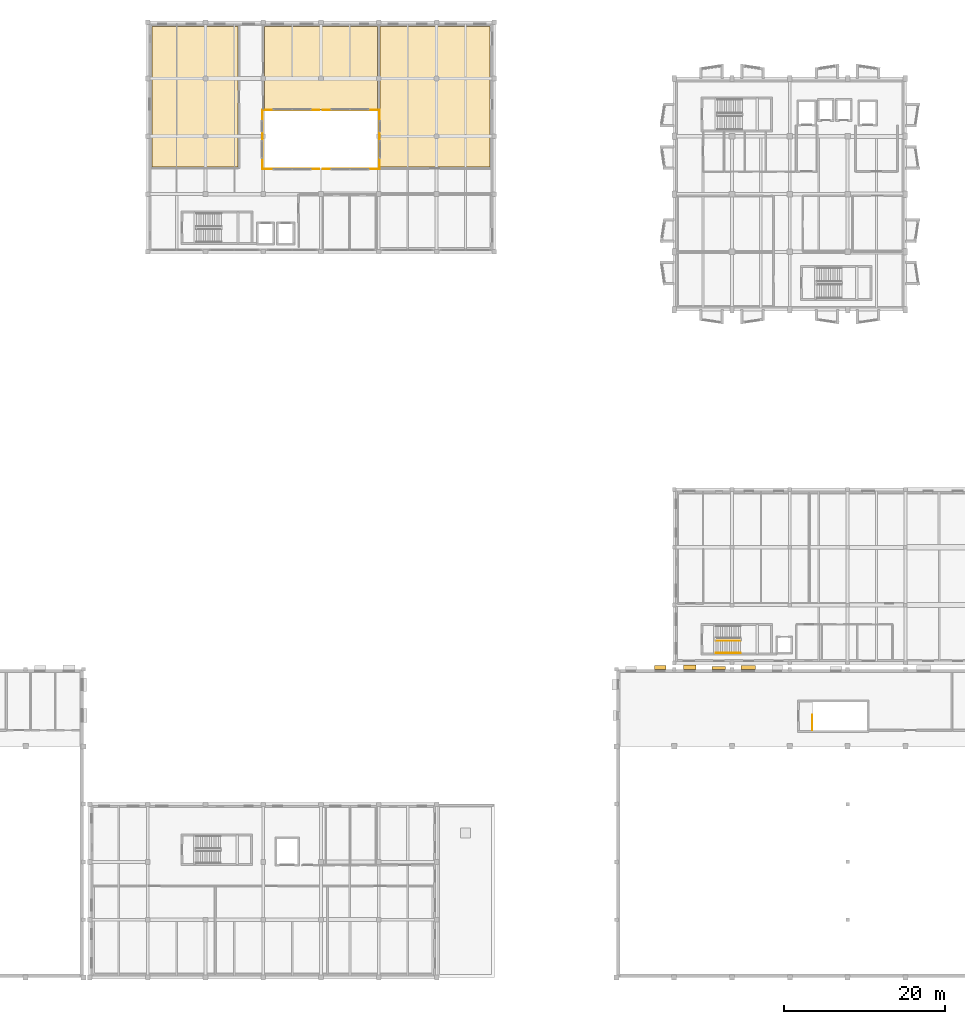
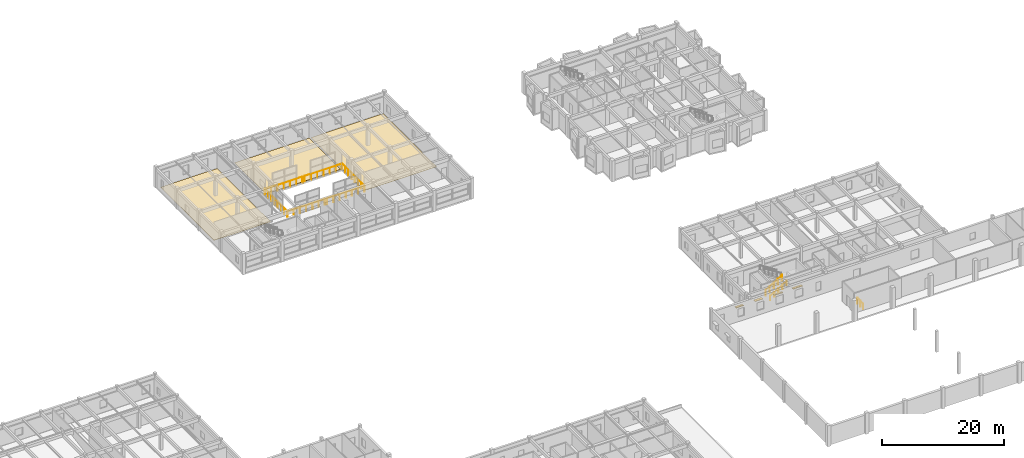
# One storey, part 46 of 49: 9 railings, 4 shading devices, 3 coverings.
"""IFC4 building model written with IfcOpenShell, lengths in metres."""

from ifc_helpers import new_model, si_unit, direction, frame, origin, origin_2d, place, context, subcontext, project, spatial, polyline, rectangle, circle, outline, extrude, material, layer, layer_set, type_object, element, save


model = new_model("IFC4")

# Units and contexts
model_context = context("Model", 3, precision=1e-05, world=origin(), true_north=direction((0.0, 1.0)))
body_context = subcontext(model_context, "Body", "Model", "MODEL_VIEW")
ifc_project = project(units=[si_unit("LENGTHUNIT", "METRE"), si_unit("AREAUNIT", "SQUARE_METRE"), si_unit("VOLUMEUNIT", "CUBIC_METRE"), si_unit("PLANEANGLEUNIT", "RADIAN"), si_unit("MASSUNIT", "GRAM", prefix="KILO")], contexts=[model_context])

# Site, building, storey
site_placement = place(None, origin())
site = spatial("IfcSite", under=ifc_project, at=site_placement, CompositionType="ELEMENT")
building_placement = place(site_placement, origin())
building = spatial("IfcBuilding", under=site, at=building_placement, Name="Bramveld Media Centre", CompositionType="ELEMENT")
storey_placement = place(building_placement, frame((0.0, 0.0, 9.60009765625)))
storey = spatial("IfcBuildingStorey", under=building, at=storey_placement, Name="L02", CompositionType="ELEMENT", Elevation=9.60009765625)

# Coverings
ifc_material_1 = material(Name="Floating acoustic screed with smoked European oak studio flooring")
ifc_layer_1 = layer(ifc_material_1, 0.06494140625)
ifc_layer_set_1 = layer_set([ifc_layer_1], Name="Floating acoustic screed with smoked European oak studio flooring")
covering_type_1 = type_object("IfcCoveringType", Name="COV-FLOOR-01", PredefinedType="FLOORING", material=ifc_layer_set_1)
covering_1_placement = place(storey_placement, origin())
element("IfcCovering", 1, at=covering_1_placement, inside=storey, type_object=covering_type_1, Name="Electro-Acoustic Synthesis Studio 1 finish flooring", PredefinedType="FLOORING", context=body_context, shape_type="SweptSolid", body=[
    extrude(outline(polyline([(66.14990234375, 100.949951171875), (76.85009765625, 100.949951171875), (76.85009765625, 118.449951171875), (66.14990234375, 118.449951171875), (66.14990234375, 100.949951171875)])), origin(), (0.0, 0.0, 1.0), 0.06494140625),
])
ifc_material_2 = material(Name="Honed Belgian bluestone (petit granit) public concourse flooring", Category="masonry")
ifc_layer_2 = layer(ifc_material_2, 0.050048828125)
ifc_layer_set_2 = layer_set([ifc_layer_2], Name="Honed Belgian bluestone (petit granit) public concourse flooring")
covering_type_2 = type_object("IfcCoveringType", Name="COV-FLOOR-02", PredefinedType="FLOORING", material=ifc_layer_set_2)
covering_2_placement = place(storey_placement, origin())
element("IfcCovering", 2, at=covering_2_placement, inside=storey, type_object=covering_type_2, Name="Modular Sound Lab & Patch Bay finish flooring", PredefinedType="FLOORING", context=body_context, shape_type="SweptSolid", body=[
    extrude(outline(polyline([(80.14990234375, 108.14990234375), (94.25, 108.14990234375), (94.25, 118.449951171875), (80.14990234375, 118.449951171875), (80.14990234375, 108.14990234375)])), origin(), (0.0, 0.0, 1.0), 0.0498046875),
])
ifc_material_3 = material(Name="Anti-static acoustic linoleum editing & vault flooring")
ifc_layer_3 = layer(ifc_material_3, 0.0400390625)
ifc_layer_set_3 = layer_set([ifc_layer_3], Name="Anti-static acoustic linoleum editing & vault flooring")
covering_type_3 = type_object("IfcCoveringType", Name="COV-FLOOR-03", PredefinedType="FLOORING", material=ifc_layer_set_3)
covering_3_placement = place(storey_placement, origin())
element("IfcCovering", 3, at=covering_3_placement, inside=storey, type_object=covering_type_3, Name="Spatial Audio Exhibition Blackbox finish flooring", PredefinedType="FLOORING", context=body_context, shape_type="SweptSolid", body=[
    extrude(outline(polyline([(94.550048828125, 100.949951171875), (108.25, 100.949951171875), (108.25, 118.449951171875), (94.550048828125, 118.449951171875), (94.550048828125, 100.949951171875)])), origin(), (0.0, 0.0, 1.0), 0.039794921875),
])

# Railings
ifc_material_4 = material(Name="Laminated acoustic glass & bronze steel atrium balustrade", Category="steel")
railing_type_1 = type_object("IfcRailingType", Name="RAIL-ATRIUM-1180", PredefinedType="BALUSTRADE", material=ifc_material_4)
for number, where, name in (
    (4, (79.919921875, 100.719970703125, 0.0), "V6 L02 atrium edge balustrade S1"),
    (5, (87.419921875, 100.719970703125, 0.0), "V6 L02 atrium edge balustrade S2"),
    (6, (79.919921875, 108.080078125, 0.0), "V6 L02 atrium edge balustrade N1"),
    (7, (87.419921875, 108.080078125, 0.0), "V6 L02 atrium edge balustrade N2"),
):
    element("IfcRailing", number, at=place(storey_placement, frame(where)), inside=storey, type_object=railing_type_1, Name=name, PredefinedType="BALUSTRADE", context=body_context, shape_type="SweptSolid", body=[
        extrude(circle(Radius=0.02392578125, at=origin_2d()), frame((0.0, 0.0, 1.15576171875), z_axis=(1.0, 0.0, 0.0), x_axis=(0.0, 1.0, 0.0)), (0.0, 0.0, 1.0), 7.06005859375),
        extrude(circle(Radius=0.02099609375, at=origin_2d()), origin(), (0.0, 0.0, 1.0), 1.1318359375),
        extrude(circle(Radius=0.02099609375, at=origin_2d()), frame((1.1767578125, 0.0, 0.0)), (0.0, 0.0, 1.0), 1.1318359375),
        extrude(circle(Radius=0.02099609375, at=origin_2d()), frame((2.353271484375, 0.0, 0.0)), (0.0, 0.0, 1.0), 1.1318359375),
        extrude(circle(Radius=0.02099609375, at=origin_2d()), frame((3.530029296875, 0.0, 0.0)), (0.0, 0.0, 1.0), 1.1318359375),
        extrude(circle(Radius=0.02099609375, at=origin_2d()), frame((4.706787109375, 0.0, 0.0)), (0.0, 0.0, 1.0), 1.1318359375),
        extrude(circle(Radius=0.02099609375, at=origin_2d()), frame((5.88330078125, 0.0, 0.0)), (0.0, 0.0, 1.0), 1.1318359375),
        extrude(circle(Radius=0.02099609375, at=origin_2d()), frame((7.06005859375, 0.0, 0.0)), (0.0, 0.0, 1.0), 1.1318359375),
    ])
for number, where, name in (
    (8, (79.919921875, 100.719970703125, 0.0), "V6 L02 atrium edge balustrade W"),
    (9, (94.47998046875, 100.719970703125, 0.0), "V6 L02 atrium edge balustrade E"),
):
    element("IfcRailing", number, at=place(storey_placement, frame(where)), inside=storey, type_object=railing_type_1, Name=name, PredefinedType="BALUSTRADE", context=body_context, shape_type="SweptSolid", body=[
        extrude(circle(Radius=0.02392578125, at=origin_2d()), frame((0.0, 0.0, 1.15576171875), z_axis=(0.0, 1.0, 0.0), x_axis=(-1.0, 0.0, 0.0)), (0.0, 0.0, 1.0), 7.360107421875),
        extrude(circle(Radius=0.02099609375, at=origin_2d()), origin(), (0.0, 0.0, 1.0), 1.1318359375),
        extrude(circle(Radius=0.02099609375, at=origin_2d()), frame((0.0, 1.051513671875, 0.0)), (0.0, 0.0, 1.0), 1.1318359375),
        extrude(circle(Radius=0.02099609375, at=origin_2d()), frame((0.0, 2.102783203125, 0.0)), (0.0, 0.0, 1.0), 1.1318359375),
        extrude(circle(Radius=0.02099609375, at=origin_2d()), frame((0.0, 3.154296875, 0.0)), (0.0, 0.0, 1.0), 1.1318359375),
        extrude(circle(Radius=0.02099609375, at=origin_2d()), frame((0.0, 4.205810546875, 0.0)), (0.0, 0.0, 1.0), 1.1318359375),
        extrude(circle(Radius=0.02099609375, at=origin_2d()), frame((0.0, 5.25732421875, 0.0)), (0.0, 0.0, 1.0), 1.1318359375),
        extrude(circle(Radius=0.02099609375, at=origin_2d()), frame((0.0, 6.30859375, 0.0)), (0.0, 0.0, 1.0), 1.1318359375),
        extrude(circle(Radius=0.02099609375, at=origin_2d()), frame((0.0, 7.360107421875, 0.0)), (0.0, 0.0, 1.0), 1.1318359375),
    ])
ifc_material_5 = material(Name="Painted galvanized steel stairwell guardrail", Category="steel")
railing_type_2 = type_object("IfcRailingType", Name="RAIL-STAIR-GUARD-1150", PredefinedType="GUARDRAIL", material=ifc_material_5)
railing_1_placement = place(storey_placement, frame((148.39990234375, 30.800048828125, 0.0)))
element("IfcRailing", 10, at=railing_1_placement, inside=storey, type_object=railing_type_2, Name="L02 ST-03 top well guard 1", PredefinedType="GUARDRAIL", context=body_context, shape_type="SweptSolid", body=[
    extrude(circle(Radius=0.02392578125, at=origin_2d()), frame((0.0, 0.0, 1.1259765625), z_axis=(0.0, 1.0, 0.0), x_axis=(-1.0, 0.0, 0.0)), (0.0, 0.0, 1.0), 1.89990234375),
    extrude(circle(Radius=0.02099609375, at=origin_2d()), origin(), (0.0, 0.0, 1.0), 1.101806640625),
    extrude(circle(Radius=0.02099609375, at=origin_2d()), frame((0.0, 0.949951171875, 0.0)), (0.0, 0.0, 1.0), 1.101806640625),
    extrude(circle(Radius=0.02099609375, at=origin_2d()), frame((0.0, 1.89990234375, 0.0)), (0.0, 0.0, 1.0), 1.101806640625),
])
railing_2_placement = place(storey_placement, frame((136.39990234375, 41.949951171875, 0.1748046875)))
element("IfcRailing", 11, at=railing_2_placement, inside=storey, type_object=railing_type_2, Name="L02 ST-08 stair guard 1", PredefinedType="GUARDRAIL", context=body_context, shape_type="SweptSolid", body=[
    extrude(circle(Radius=0.02392578125, at=origin_2d()), frame((0.0, 0.0, 1.1259765625), z_axis=(0.847998304005, 0.0, 0.529998940003), x_axis=(0.0, 1.0, 0.0)), (0.0, 0.0, 1.0), 3.632080078125),
    extrude(circle(Radius=0.02099609375, at=origin_2d()), origin(), (0.0, 0.0, 1.0), 1.101806640625),
    extrude(circle(Radius=0.02099609375, at=origin_2d()), frame((0.77001953125, 0.0, 0.481201171875)), (0.0, 0.0, 1.0), 1.101806640625),
    extrude(circle(Radius=0.02099609375, at=origin_2d()), frame((1.5400390625, 0.0, 0.96240234375)), (0.0, 0.0, 1.0), 1.101806640625),
    extrude(circle(Radius=0.02099609375, at=origin_2d()), frame((2.31005859375, 0.0, 1.44384765625)), (0.0, 0.0, 1.0), 1.101806640625),
    extrude(circle(Radius=0.02099609375, at=origin_2d()), frame((3.080078125, 0.0, 1.925048828125)), (0.0, 0.0, 1.0), 1.101806640625),
])
ifc_material_6 = material(Name="Brushed stainless steel tubular stair handrail", Category="steel")
railing_type_3 = type_object("IfcRailingType", Name="RAIL-STAIR-HAND-0920", PredefinedType="HANDRAIL", material=ifc_material_6)
railing_3_placement = place(storey_placement, frame((136.39990234375, 40.449951171875, 0.1748046875)))
element("IfcRailing", 12, at=railing_3_placement, inside=storey, type_object=railing_type_3, Name="L02 ST-08 stair handrail 1", PredefinedType="HANDRAIL", context=body_context, shape_type="SweptSolid", body=[
    extrude(circle(Radius=0.02392578125, at=origin_2d()), frame((0.0, 0.0, 0.8759765625), z_axis=(0.847998304005, 0.0, 0.529998940003), x_axis=(0.0, 1.0, 0.0)), (0.0, 0.0, 1.0), 3.632080078125),
    extrude(circle(Radius=0.02099609375, at=origin_2d()), origin(), (0.0, 0.0, 1.0), 0.851806640625),
    extrude(circle(Radius=0.02099609375, at=origin_2d()), frame((0.77001953125, 0.0, 0.481201171875)), (0.0, 0.0, 1.0), 0.851806640625),
    extrude(circle(Radius=0.02099609375, at=origin_2d()), frame((1.5400390625, 0.0, 0.96240234375)), (0.0, 0.0, 1.0), 0.851806640625),
    extrude(circle(Radius=0.02099609375, at=origin_2d()), frame((2.31005859375, 0.0, 1.44384765625)), (0.0, 0.0, 1.0), 0.851806640625),
    extrude(circle(Radius=0.02099609375, at=origin_2d()), frame((3.080078125, 0.0, 1.925048828125)), (0.0, 0.0, 1.0), 0.851806640625),
])

# Shading devices
ifc_material_7 = material(Name="Anodized bronze extruded aluminium solar shading fin", Category="aluminium")
shading_device_type_1 = type_object("IfcShadingDeviceType", Name="SHD-BRISE-350", PredefinedType="JALOUSIE", material=ifc_material_7)
shading_device_1_placement = place(storey_placement, frame((136.7646484375, 38.574951171875, 2.509765625), z_axis=(0.0, 0.0, 1.0), x_axis=(1.0, 0.0, 0.0)))
element("IfcShadingDevice", 13, at=shading_device_1_placement, inside=storey, type_object=shading_device_type_1, Name="Bronze solar shading fin 36", PredefinedType="JALOUSIE", context=body_context, shape_type="SweptSolid", body=[
    extrude(rectangle(XDim=1.679931640625, YDim=0.35009765625, at=origin_2d()), origin(), (0.0, 0.0, 1.0), 0.06005859375),
])
ifc_material_8 = material(Name="Anodized bronze extruded aluminium solar shading fin", Category="aluminium")
shading_device_type_2 = type_object("IfcShadingDeviceType", Name="SHD-BRISE-450", PredefinedType="JALOUSIE", material=ifc_material_8)
shading_device_2_placement = place(storey_placement, frame((129.470703125, 38.625, 2.509765625), z_axis=(0.0, 0.0, 1.0), x_axis=(1.0, 0.0, 0.0)))
element("IfcShadingDevice", 14, at=shading_device_2_placement, inside=storey, type_object=shading_device_type_2, Name="Bronze solar shading fin 34", PredefinedType="JALOUSIE", context=body_context, shape_type="SweptSolid", body=[
    extrude(rectangle(XDim=1.449951171875, YDim=0.449951171875, at=origin_2d()), origin(), (0.0, 0.0, 1.0), 0.06005859375),
])
shading_device_3_placement = place(storey_placement, frame((140.411865234375, 38.625, 2.509765625), z_axis=(0.0, 0.0, 1.0), x_axis=(1.0, 0.0, 0.0)))
element("IfcShadingDevice", 15, at=shading_device_3_placement, inside=storey, type_object=shading_device_type_2, Name="Bronze solar shading fin 37", PredefinedType="JALOUSIE", context=body_context, shape_type="SweptSolid", body=[
    extrude(rectangle(XDim=1.800048828125, YDim=0.449951171875, at=origin_2d()), origin(), (0.0, 0.0, 1.0), 0.06005859375),
])
ifc_material_9 = material(Name="Anodized bronze extruded aluminium solar shading fin", Category="aluminium")
shading_device_type_3 = type_object("IfcShadingDeviceType", Name="SHD-BRISE-550", PredefinedType="JALOUSIE", material=ifc_material_9)
shading_device_4_placement = place(storey_placement, frame((133.11767578125, 38.675048828125, 2.509765625), z_axis=(0.0, 0.0, 1.0), x_axis=(1.0, 0.0, 0.0)))
element("IfcShadingDevice", 16, at=shading_device_4_placement, inside=storey, type_object=shading_device_type_3, Name="Bronze solar shading fin 35", PredefinedType="JALOUSIE", context=body_context, shape_type="SweptSolid", body=[
    extrude(rectangle(XDim=1.550048828125, YDim=0.550048828125, at=origin_2d()), origin(), (0.0, 0.0, 1.0), 0.06005859375),
])

save(model, "model.ifc")
